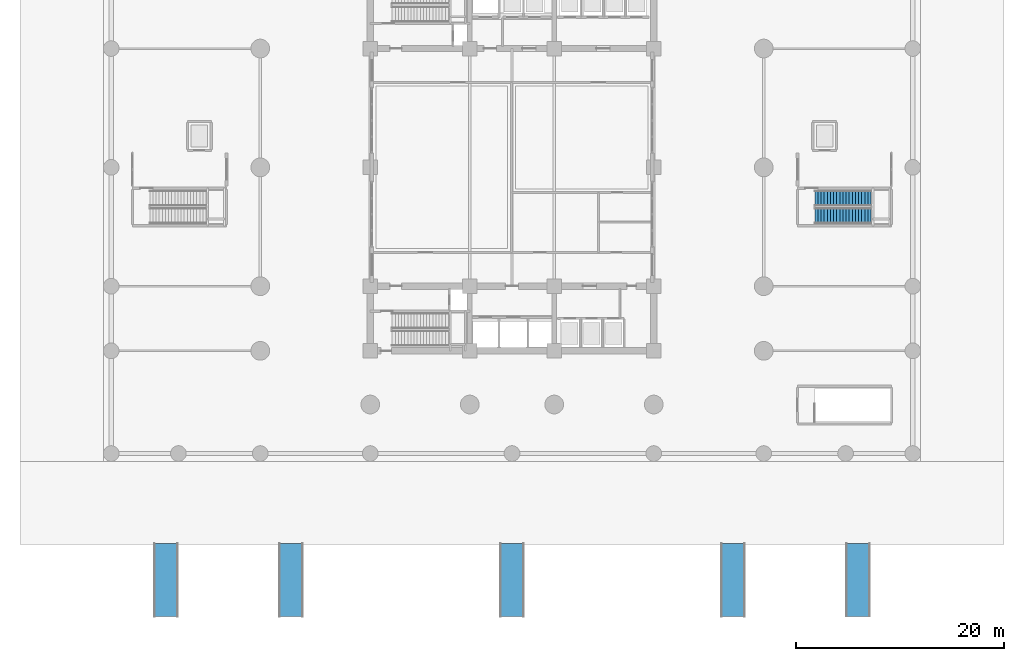
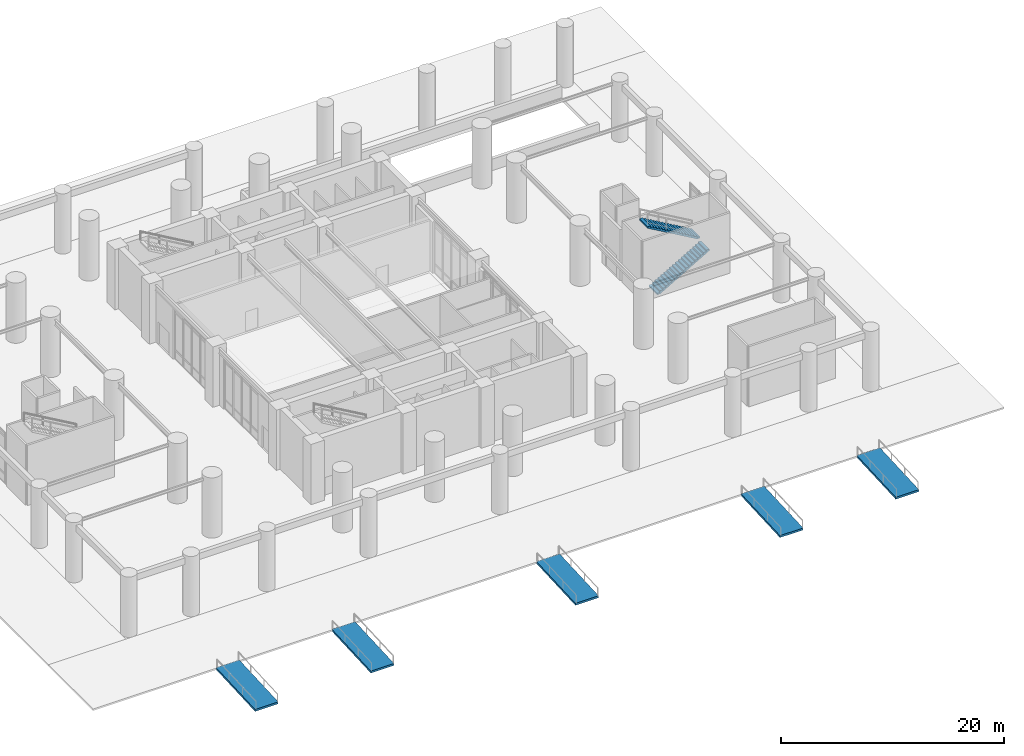
# One storey, part 10 of 16: 5 ramp flights, 2 stair flights, 6 elements without a shape of their own.
"""IFC4 building model written with IfcOpenShell, lengths in metres."""

from ifc_helpers import new_model, si_unit, direction, frame, origin, place, context, subcontext, project, spatial, polyline, outline, extrude, material, layer, layer_set, type_object, element, aggregate, save


model = new_model("IFC4")

# Units and contexts
model_context = context("Model", 3, precision=1e-05, world=origin(), true_north=direction((0.0, 1.0)))
body_context = subcontext(model_context, "Body", "Model", "MODEL_VIEW")
ifc_project = project(units=[si_unit("LENGTHUNIT", "METRE"), si_unit("AREAUNIT", "SQUARE_METRE"), si_unit("VOLUMEUNIT", "CUBIC_METRE"), si_unit("PLANEANGLEUNIT", "RADIAN"), si_unit("MASSUNIT", "GRAM", prefix="KILO")], contexts=[model_context])

# Site, building, storey
site_placement = place(None, origin())
site = spatial("IfcSite", under=ifc_project, at=site_placement, CompositionType="ELEMENT")
building_placement = place(site_placement, origin())
building = spatial("IfcBuilding", under=site, at=building_placement, Name="Svetorya Sky Lyceum", CompositionType="ELEMENT")
storey_placement = place(building_placement, origin())
storey = spatial("IfcBuildingStorey", under=building, at=storey_placement, Name="L00", CompositionType="ELEMENT", Elevation=0.0)

# Stair, stair flights
ifc_material = material(Name="Concrete C40/50", Category="concrete")
stair_type = type_object("IfcStairType", Name="STR-ST-SCH-E", PredefinedType="HALF_TURN_STAIR", material=ifc_material)
stair_placement = place(storey_placement, origin())
stair = element("IfcStair", 1, at=stair_placement, inside=storey, type_object=stair_type, Name="L00 East Lyceum Podium Dedicated Stair", PredefinedType="HALF_TURN_STAIR")
stair_flight_type = type_object("IfcStairFlightType", Name="SFL-ST-SCH-E", PredefinedType="STRAIGHT", material=ifc_material)
stair_flight_1_placement = place(storey_placement, frame((68.25, 23.550048828125, 0.0), z_axis=(0.0, 0.0, 1.0), x_axis=(1.0, 0.0, 0.0)))
stair_flight_1 = element("IfcStairFlight", 2, at=stair_flight_1_placement, type_object=stair_flight_type, Name="ST-SCH-E flight 1", NumberOfRisers=19, NumberOfTreads=18, PredefinedType="STRAIGHT", RiserHeight=0.173684211, TreadLength=0.3, context=body_context, shape_type="SweptSolid", body=[
    extrude(outline(polyline([(0.0, 0.0), (0.0, 0.173583984375), (0.300048828125, 0.173583984375), (0.300048828125, 0.347412109375), (0.60009765625, 0.347412109375), (0.60009765625, 0.52099609375), (0.89990234375, 0.52099609375), (0.89990234375, 0.69482421875), (1.199951171875, 0.69482421875), (1.199951171875, 0.868408203125), (1.5, 0.868408203125), (1.5, 1.0419921875), (1.800048828125, 1.0419921875), (1.800048828125, 1.2158203125), (2.10009765625, 1.2158203125), (2.10009765625, 1.389404296875), (2.39990234375, 1.389404296875), (2.39990234375, 1.563232421875), (2.699951171875, 1.563232421875), (2.699951171875, 1.73681640625), (3.0, 1.73681640625), (3.0, 1.91064453125), (3.300048828125, 1.91064453125), (3.300048828125, 2.084228515625), (3.60009765625, 2.084228515625), (3.60009765625, 2.2578125), (3.89990234375, 2.2578125), (3.89990234375, 2.431640625), (4.199951171875, 2.431640625), (4.199951171875, 2.605224609375), (4.5, 2.605224609375), (4.5, 2.779052734375), (4.800048828125, 2.779052734375), (4.800048828125, 2.95263671875), (5.10009765625, 2.95263671875), (5.10009765625, 3.126220703125), (5.39990234375, 3.126220703125), (5.39990234375, 3.300048828125), (5.39990234375, 2.953125), (0.299072265625, 0.0), (0.0, 0.0)])), frame((0.0, 0.75, 0.0), z_axis=(0.0, -1.0, 0.0), x_axis=(1.0, 0.0, 0.0)), (0.0, 0.0, 1.0), 1.5),
])
stair_flight_2_placement = place(storey_placement, frame((73.64990234375, 25.25, 3.300048828125), z_axis=(0.0, 0.0, 1.0), x_axis=(-1.0, 0.0, 0.0)))
stair_flight_2 = element("IfcStairFlight", 3, at=stair_flight_2_placement, type_object=stair_flight_type, Name="ST-SCH-E flight 2", NumberOfRisers=19, NumberOfTreads=18, PredefinedType="STRAIGHT", RiserHeight=0.173684211, TreadLength=0.3, context=body_context, shape_type="SweptSolid", body=[
    extrude(outline(polyline([(0.0, 0.0), (0.0, 0.173583984375), (0.300048828125, 0.173583984375), (0.300048828125, 0.347412109375), (0.60009765625, 0.347412109375), (0.60009765625, 0.52099609375), (0.89990234375, 0.52099609375), (0.89990234375, 0.69482421875), (1.199951171875, 0.69482421875), (1.199951171875, 0.868408203125), (1.5, 0.868408203125), (1.5, 1.0419921875), (1.800048828125, 1.0419921875), (1.800048828125, 1.2158203125), (2.10009765625, 1.2158203125), (2.10009765625, 1.389404296875), (2.39990234375, 1.389404296875), (2.39990234375, 1.563232421875), (2.699951171875, 1.563232421875), (2.699951171875, 1.73681640625), (3.0, 1.73681640625), (3.0, 1.91064453125), (3.300048828125, 1.91064453125), (3.300048828125, 2.084228515625), (3.60009765625, 2.084228515625), (3.60009765625, 2.2578125), (3.89990234375, 2.2578125), (3.89990234375, 2.431640625), (4.199951171875, 2.431640625), (4.199951171875, 2.605224609375), (4.5, 2.605224609375), (4.5, 2.779052734375), (4.800048828125, 2.779052734375), (4.800048828125, 2.95263671875), (5.10009765625, 2.95263671875), (5.10009765625, 3.126220703125), (5.39990234375, 3.126220703125), (5.39990234375, 3.300048828125), (5.39990234375, 2.953125), (0.299072265625, 0.0), (0.0, 0.0)])), frame((0.0, 0.75, 0.0), z_axis=(0.0, -1.0, 0.0), x_axis=(1.0, 0.0, 0.0)), (0.0, 0.0, 1.0), 1.5),
])
aggregate(stair, [stair_flight_1, stair_flight_2])

# Ramp, ramp flight
ramp_type = type_object("IfcRampType", Name="RMP-PED-2400", PredefinedType="STRAIGHT_RUN_RAMP", material=ifc_material)
ramp_1_placement = place(storey_placement, origin())
ramp_1 = element("IfcRamp", 4, at=ramp_1_placement, inside=storey, type_object=ramp_type, Name="Forecourt Accessible Approach Ramp PR-1", PredefinedType="STRAIGHT_RUN_RAMP")
ifc_layer = layer(ifc_material, 0.219970703125)
ifc_layer_set = layer_set([ifc_layer], Name="Concrete C40/50")
ramp_flight_type = type_object("IfcRampFlightType", Name="RFL-PED-220", PredefinedType="STRAIGHT", material=ifc_layer_set)
ramp_flight_1_placement = place(storey_placement, frame((4.800048828125, -14.89990234375, -0.35009765625), z_axis=(1.0, 0.0, 0.0), x_axis=(0.0, 1.0, 0.0)))
ramp_flight_1 = element("IfcRampFlight", 5, at=ramp_flight_1_placement, type_object=ramp_flight_type, Name="Approach Ramp PR-1 Flight", PredefinedType="STRAIGHT", context=body_context, shape_type="SweptSolid", body=[
    extrude(outline(polyline([(0.0, -0.219970703125), (7.0, 0.1298828125), (7.0, 0.35009765625), (0.0, 0.0), (0.0, -0.219970703125)])), origin(), (0.0, 0.0, 1.0), 2.39990234375),
])
aggregate(ramp_1, [ramp_flight_1])

ramp_2_placement = place(storey_placement, origin())
ramp_2 = element("IfcRamp", 6, at=ramp_2_placement, inside=storey, type_object=ramp_type, Name="Forecourt Accessible Approach Ramp PR-2", PredefinedType="STRAIGHT_RUN_RAMP")
ramp_flight_2_placement = place(storey_placement, frame((16.800048828125, -14.89990234375, -0.35009765625), z_axis=(1.0, 0.0, 0.0), x_axis=(0.0, 1.0, 0.0)))
ramp_flight_2 = element("IfcRampFlight", 7, at=ramp_flight_2_placement, type_object=ramp_flight_type, Name="Approach Ramp PR-2 Flight", PredefinedType="STRAIGHT", context=body_context, shape_type="SweptSolid", body=[
    extrude(outline(polyline([(0.0, -0.219970703125), (7.0, 0.1298828125), (7.0, 0.35009765625), (0.0, 0.0), (0.0, -0.219970703125)])), origin(), (0.0, 0.0, 1.0), 2.39990234375),
])
aggregate(ramp_2, [ramp_flight_2])

ramp_3_placement = place(storey_placement, origin())
ramp_3 = element("IfcRamp", 8, at=ramp_3_placement, inside=storey, type_object=ramp_type, Name="Forecourt Accessible Approach Ramp PR-3", PredefinedType="STRAIGHT_RUN_RAMP")
ramp_flight_3_placement = place(storey_placement, frame((38.0, -14.89990234375, -0.35009765625), z_axis=(1.0, 0.0, 0.0), x_axis=(0.0, 1.0, 0.0)))
ramp_flight_3 = element("IfcRampFlight", 9, at=ramp_flight_3_placement, type_object=ramp_flight_type, Name="Approach Ramp PR-3 Flight", PredefinedType="STRAIGHT", context=body_context, shape_type="SweptSolid", body=[
    extrude(outline(polyline([(0.0, -0.219970703125), (7.0, 0.1298828125), (7.0, 0.35009765625), (0.0, 0.0), (0.0, -0.219970703125)])), origin(), (0.0, 0.0, 1.0), 2.39990234375),
])
aggregate(ramp_3, [ramp_flight_3])

ramp_4_placement = place(storey_placement, origin())
ramp_4 = element("IfcRamp", 10, at=ramp_4_placement, inside=storey, type_object=ramp_type, Name="Forecourt Accessible Approach Ramp PR-4", PredefinedType="STRAIGHT_RUN_RAMP")
ramp_flight_4_placement = place(storey_placement, frame((59.199951171875, -14.89990234375, -0.35009765625), z_axis=(1.0, 0.0, 0.0), x_axis=(0.0, 1.0, 0.0)))
ramp_flight_4 = element("IfcRampFlight", 11, at=ramp_flight_4_placement, type_object=ramp_flight_type, Name="Approach Ramp PR-4 Flight", PredefinedType="STRAIGHT", context=body_context, shape_type="SweptSolid", body=[
    extrude(outline(polyline([(0.0, -0.219970703125), (7.0, 0.1298828125), (7.0, 0.35009765625), (0.0, 0.0), (0.0, -0.219970703125)])), origin(), (0.0, 0.0, 1.0), 2.400146484375),
])
aggregate(ramp_4, [ramp_flight_4])

ramp_5_placement = place(storey_placement, origin())
ramp_5 = element("IfcRamp", 12, at=ramp_5_placement, inside=storey, type_object=ramp_type, Name="Forecourt Accessible Approach Ramp PR-5", PredefinedType="STRAIGHT_RUN_RAMP")
ramp_flight_5_placement = place(storey_placement, frame((71.199951171875, -14.89990234375, -0.35009765625), z_axis=(1.0, 0.0, 0.0), x_axis=(0.0, 1.0, 0.0)))
ramp_flight_5 = element("IfcRampFlight", 13, at=ramp_flight_5_placement, type_object=ramp_flight_type, Name="Approach Ramp PR-5 Flight", PredefinedType="STRAIGHT", context=body_context, shape_type="SweptSolid", body=[
    extrude(outline(polyline([(0.0, -0.219970703125), (7.0, 0.1298828125), (7.0, 0.35009765625), (0.0, 0.0), (0.0, -0.219970703125)])), origin(), (0.0, 0.0, 1.0), 2.400146484375),
])
aggregate(ramp_5, [ramp_flight_5])

save(model, "model.ifc")
